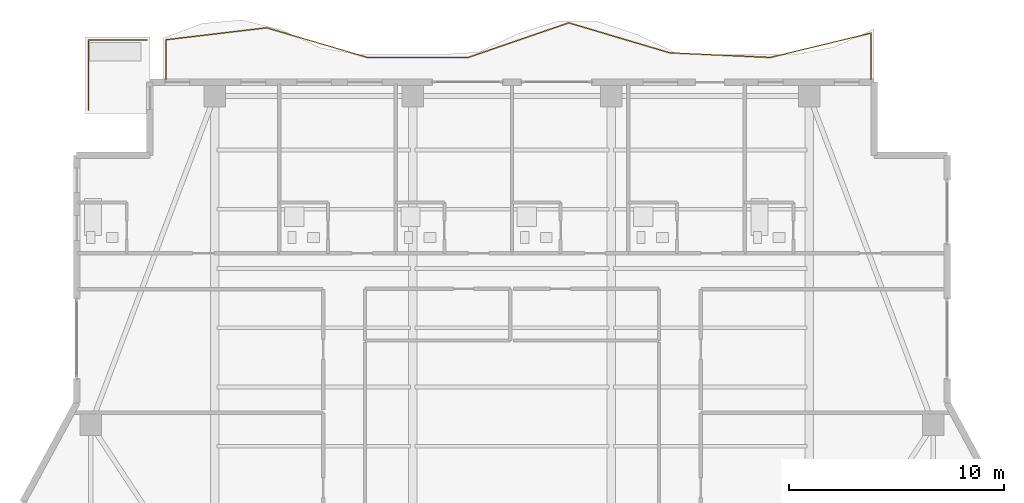
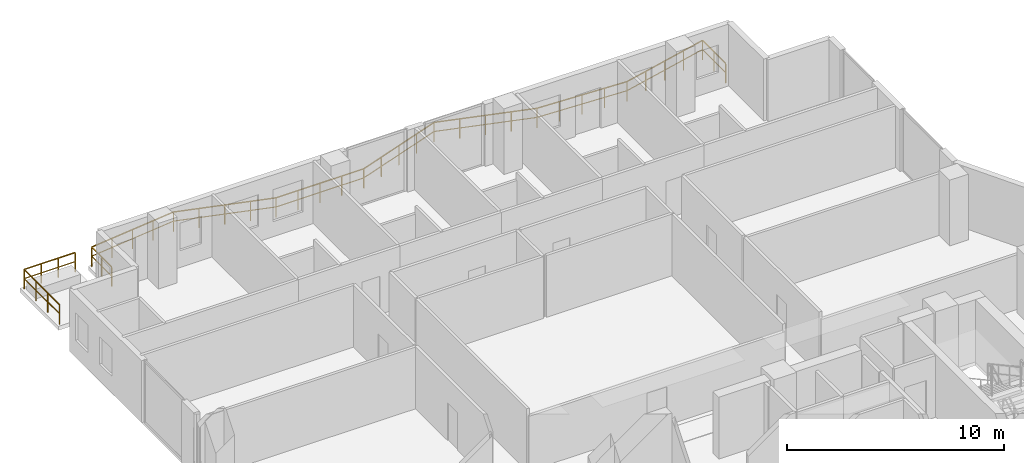
# One storey, part 22 of 23: 2 railings.
"""IFC4 building model written with IfcOpenShell, lengths in metres."""

import ifcopenshell
import ifcopenshell.guid

model = None  # the IFC model being written
_history = None  # IfcOwnerHistory: only IFC2X3 demands one
_inside = {}  # id of a spatial element -> (the spatial element, [elements in it])
_under = {}  # id of a project, library or spatial element -> (it, [spatial elements below it])
_declared = {}  # id of a project -> (the project, [libraries it declares])
_typed = {}  # id of a type object -> (the type object, [elements of that type])
_made_of = {}  # id of a material, layer set ... -> (it, [elements and type objects made of it])


def new_model(schema):
    """Start an empty IFC model of exactly this schema.

    Asked for "IFC4X3", IfcOpenShell would pick the latest addendum, in which some entities
    have other attributes; the version numbers below select the first issue.
    IFC2X3 requires an IfcOwnerHistory on every rooted entity: one is made here for all.
    """
    global model, _history
    if schema == "IFC4X3":
        model = ifcopenshell.file(schema_version=(4, 3, 0, 0))
    else:
        model = ifcopenshell.file(schema=schema)
    _inside.clear()
    _under.clear()
    _declared.clear()
    _typed.clear()
    _made_of.clear()
    _history = None
    if model.schema == "IFC2X3":
        org = make("IfcOrganization", Name="unknown")
        user = make(
            "IfcPersonAndOrganization",
            ThePerson=make("IfcPerson", FamilyName="unknown"),
            TheOrganization=org,
        )
        app = make(
            "IfcApplication",
            ApplicationDeveloper=org,
            Version="unknown",
            ApplicationFullName="unknown",
            ApplicationIdentifier="unknown",
        )
        _history = make(
            "IfcOwnerHistory",
            OwningUser=user,
            OwningApplication=app,
            ChangeAction="ADDED",
            CreationDate=0,
        )
    return model


def make(cls, **values):
    """One entity of the class cls with the attributes given. An attribute that is None is left unset."""
    return model.create_entity(
        cls, **{name: value for name, value in values.items() if value is not None}
    )


def rooted(cls, **values):
    """An entity with a GlobalId (a new one), such as an element, a storey or a relation."""
    return make(cls, GlobalId=ifcopenshell.guid.new(), OwnerHistory=_history, **values)


def si_unit(unit_type, name, prefix=None):
    """IfcSIUnit, for example si_unit("LENGTHUNIT", "METRE", prefix="MILLI")."""
    return make("IfcSIUnit", UnitType=unit_type, Prefix=prefix, Name=name)


def assignment(units):
    """IfcUnitAssignment: the units of a project."""
    return None if units is None else make("IfcUnitAssignment", Units=units)


def point(xyz):
    """IfcCartesianPoint."""
    return None if xyz is None else make("IfcCartesianPoint", Coordinates=xyz)


def direction(xyz):
    """IfcDirection."""
    return None if xyz is None else make("IfcDirection", DirectionRatios=xyz)


def frame(location, z_axis=None, x_axis=None):
    """IfcAxis2Placement3D, a coordinate frame: its origin and axes. An axis left out is left unset."""
    return make(
        "IfcAxis2Placement3D",
        Location=point(location),
        Axis=direction(z_axis),
        RefDirection=direction(x_axis),
    )


def frame_2d(location, x_axis=None):
    """IfcAxis2Placement2D, a coordinate frame in the plane: its origin and x axis."""
    return make(
        "IfcAxis2Placement2D", Location=point(location), RefDirection=direction(x_axis)
    )


def origin():
    """The frame at (0, 0, 0) with its axes left unset."""
    return frame((0.0, 0.0, 0.0))


def origin_2d():
    """The frame at (0, 0) in the plane with its x axis left unset."""
    return frame_2d((0.0, 0.0))


def place(relative_to, where):
    """IfcLocalPlacement: puts the frame where relative to a parent placement (None: the world)."""
    return make(
        "IfcLocalPlacement", PlacementRelTo=relative_to, RelativePlacement=where
    )


def context(
    kind, dimensions, precision=None, world=None, true_north=None, identifier=None
):
    """IfcGeometricRepresentationContext, for example the 3D "Model" context."""
    return make(
        "IfcGeometricRepresentationContext",
        ContextIdentifier=identifier,
        ContextType=kind,
        CoordinateSpaceDimension=dimensions,
        Precision=precision,
        WorldCoordinateSystem=world,
        TrueNorth=true_north,
    )


def subcontext(parent, identifier, kind, view, scale=None):
    """IfcGeometricRepresentationSubContext, for example "Body" below "Model"."""
    return make(
        "IfcGeometricRepresentationSubContext",
        ContextIdentifier=identifier,
        ContextType=kind,
        ParentContext=parent,
        TargetScale=scale,
        TargetView=view,
    )


def project(units=None, contexts=None):
    """IfcProject with its units and contexts."""
    return rooted(
        "IfcProject",
        Name="project",
        RepresentationContexts=contexts,
        UnitsInContext=assignment(units),
    )


def spatial(cls, under=None, at=None, **own):
    """A site, building, storey or space (cls), placed at a placement, below another one or the project."""
    s = rooted(cls, ObjectPlacement=at, **own)
    if under is not None:
        _under.setdefault(under.id(), (under, []))[1].append(s)
    return s


def profile(cls, at=None, kind="AREA", **sizes):
    """A parametric profile (cls). Its sizes go by their IFC names, for example OverallWidth=200.0."""
    return make(cls, ProfileType=kind, Position=at, **sizes)


def rectangle(**sizes):
    """IfcRectangleProfileDef."""
    return profile("IfcRectangleProfileDef", **sizes)


def extrude(swept, where, along, depth):
    """IfcExtrudedAreaSolid: the profile swept, set in the frame where, extruded along a direction by depth."""
    return make(
        "IfcExtrudedAreaSolid",
        SweptArea=swept,
        Position=where,
        ExtrudedDirection=direction(along),
        Depth=depth,
    )


def shape(context_of_items, identifier, shape_type, items):
    """IfcShapeRepresentation: the items that make up one representation, for example the "Body"."""
    return make(
        "IfcShapeRepresentation",
        ContextOfItems=context_of_items,
        RepresentationIdentifier=identifier,
        RepresentationType=shape_type,
        Items=items,
    )


def material(Name=None, Category=None):
    """IfcMaterial."""
    return make("IfcMaterial", Name=Name, Category=Category)


def made_of(thing, what):
    """Note that an element or type object is made of a material, layer set ...; save() writes the relation."""
    if what is not None:
        _made_of.setdefault(what.id(), (what, []))[1].append(thing)
    return thing


def type_object(cls, material=None, **own):
    """A type object (cls), such as IfcWallType, which elements share."""
    return made_of(rooted(cls, **own), material)


def element(
    cls,
    number,
    at=None,
    inside=None,
    cuts=None,
    type_object=None,
    material=None,
    context=None,
    identifier="Body",
    shape_type=None,
    held_by="IfcProductDefinitionShape",
    body=None,
    shapes=None,
    **own,
):
    """One element of the class cls, such as IfcWall. Its Tag is "e" and its number.

    at: its placement. inside: the storey or other place that contains it. cuts: it is an
    opening in that element (IfcRelVoidsElement). A single representation is given by context,
    identifier, shape_type and body (its items); several are given by shapes. held_by: the class
    of the entity that holds the representations. save() writes the other relations.
    """
    e = rooted(cls, Tag="e%d" % number, ObjectPlacement=at, **own)
    if body is not None:
        shapes = [shape(context, identifier, shape_type, body)]
    if shapes is not None:
        e.Representation = make(held_by, Representations=shapes)
    if inside is not None:
        _inside.setdefault(inside.id(), (inside, []))[1].append(e)
    if cuts is not None:
        rooted(
            "IfcRelVoidsElement", RelatingBuildingElement=cuts, RelatedOpeningElement=e
        )
    if type_object is not None:
        _typed.setdefault(type_object.id(), (type_object, []))[1].append(e)
    return made_of(e, material)


def aggregate(whole, parts):
    """IfcRelAggregates: a whole, such as a stair, and the parts it consists of."""
    return rooted("IfcRelAggregates", RelatingObject=whole, RelatedObjects=parts)


def save(model, path):
    """Write the relations noted so far, then the file.

    IfcRelAggregates (storeys below a building ...), IfcRelContainedInSpatialStructure (elements
    in a storey), IfcRelDefinesByType, IfcRelAssociatesMaterial and IfcRelDeclares: one each for
    every whole, place, type object, material and project.
    """
    for whole, parts in _under.values():
        aggregate(whole, parts)
    for where, things in _inside.values():
        rooted(
            "IfcRelContainedInSpatialStructure",
            RelatedElements=things,
            RelatingStructure=where,
        )
    for kind, things in _typed.values():
        rooted("IfcRelDefinesByType", RelatedObjects=things, RelatingType=kind)
    for what, things in _made_of.values():
        rooted("IfcRelAssociatesMaterial", RelatedObjects=things, RelatingMaterial=what)
    for by, libraries in _declared.values():
        rooted("IfcRelDeclares", RelatingContext=by, RelatedDefinitions=libraries)
    model.write(path)


model = new_model("IFC4")

# Units and contexts
model_context = context("Model", 3, precision=1e-05, world=origin(), true_north=direction((0.0, 1.0)))
body_context = subcontext(model_context, "Body", "Model", "MODEL_VIEW")
ifc_project = project(units=[si_unit("LENGTHUNIT", "METRE"), si_unit("AREAUNIT", "SQUARE_METRE"), si_unit("VOLUMEUNIT", "CUBIC_METRE"), si_unit("PLANEANGLEUNIT", "RADIAN"), si_unit("MASSUNIT", "GRAM", prefix="KILO")], contexts=[model_context])

# Site, building, storey
site_placement = place(None, origin())
site = spatial("IfcSite", under=ifc_project, at=site_placement, CompositionType="ELEMENT")
building_placement = place(site_placement, origin())
building = spatial("IfcBuilding", under=site, at=building_placement, Name="Zuhayl Quay Hotel", CompositionType="ELEMENT")
storey_placement = place(building_placement, frame((0.0, 0.0, 272.949951171875)))
storey = spatial("IfcBuildingStorey", under=building, at=storey_placement, Name="L69", CompositionType="ELEMENT", Elevation=272.949951171875)

# Railings
ifc_material = material(Name="Anodised Aluminium and Laminated Glass", Category="aluminium")
railing_type = type_object("IfcRailingType", Name="RL_EXT_BAL_1100", PredefinedType="BALUSTRADE", material=ifc_material)
railing_1_placement = place(storey_placement, frame((-16.06005859375, 39.1201171875, 0.0)))
element("IfcRailing", 1, at=railing_1_placement, inside=storey, type_object=railing_type, Name="L69 Balcony and Terrace Guard GR_L69_BAL_N", PredefinedType="BALUSTRADE", context=body_context, shape_type="SweptSolid", body=[
    extrude(rectangle(XDim=0.048095703125, YDim=0.048095703125, at=origin_2d()), frame((0.0, 0.0, 1.09619140625), z_axis=(0.0, 1.0, 0.0), x_axis=(-1.0, 0.0, 0.0)), (0.0, 0.0, 1.0), 1.8408203125),
    extrude(rectangle(XDim=0.0361328125, YDim=0.0361328125, at=origin_2d()), frame((0.0, 0.0, 0.58251953125), z_axis=(0.0, 1.0, 0.0), x_axis=(-1.0, 0.0, 0.0)), (0.0, 0.0, 1.0), 1.8408203125),
    extrude(rectangle(XDim=0.048095703125, YDim=0.048095703125, at=origin_2d()), frame((0.0, 1.8408203125, 1.09619140625), z_axis=(0.992996099515, 0.118147138551, 0.0), x_axis=(-0.118147138551, 0.992996099515, 0.0)), (0.0, 0.0, 1.0), 4.707275390625),
    extrude(rectangle(XDim=0.0361328125, YDim=0.0361328125, at=origin_2d()), frame((0.0, 1.8408203125, 0.58251953125), z_axis=(0.992996099515, 0.118147138551, 0.0), x_axis=(-0.118147138551, 0.992996099515, 0.0)), (0.0, 0.0, 1.0), 4.707275390625),
    extrude(rectangle(XDim=0.048095703125, YDim=0.048095703125, at=origin_2d()), frame((4.67431640625, 2.39697265625, 1.09619140625), z_axis=(0.959232164483, -0.282619275036, 0.0), x_axis=(0.282619275036, 0.959232164483, 0.0)), (0.0, 0.0, 1.0), 4.873046875),
    extrude(rectangle(XDim=0.0361328125, YDim=0.0361328125, at=origin_2d()), frame((4.67431640625, 2.39697265625, 0.58251953125), z_axis=(0.959232164483, -0.282619275036, 0.0), x_axis=(0.282619275036, 0.959232164483, 0.0)), (0.0, 0.0, 1.0), 4.873046875),
    extrude(rectangle(XDim=0.048095703125, YDim=0.048095703125, at=origin_2d()), frame((9.3486328125, 1.019775390625, 1.09619140625), z_axis=(1.0, 0.0, 0.0), x_axis=(0.0, 1.0, 0.0)), (0.0, 0.0, 1.0), 4.67431640625),
    extrude(rectangle(XDim=0.0361328125, YDim=0.0361328125, at=origin_2d()), frame((9.3486328125, 1.019775390625, 0.58251953125), z_axis=(1.0, 0.0, 0.0), x_axis=(0.0, 1.0, 0.0)), (0.0, 0.0, 1.0), 4.67431640625),
    extrude(rectangle(XDim=0.048095703125, YDim=0.048095703125, at=origin_2d()), frame((14.02294921875, 1.019775390625, 1.09619140625), z_axis=(0.945647683326, 0.325192956598, 0.0), x_axis=(-0.325192956598, 0.945647683326, 0.0)), (0.0, 0.0, 1.0), 4.94287109375),
    extrude(rectangle(XDim=0.0361328125, YDim=0.0361328125, at=origin_2d()), frame((14.02294921875, 1.019775390625, 0.58251953125), z_axis=(0.945647683326, 0.325192956598, 0.0), x_axis=(-0.325192956598, 0.945647683326, 0.0)), (0.0, 0.0, 1.0), 4.94287109375),
    extrude(rectangle(XDim=0.048095703125, YDim=0.048095703125, at=origin_2d()), frame((18.697265625, 2.627197265625, 1.09619140625), z_axis=(0.958519352191, -0.285027457405, 0.0), x_axis=(0.285027457405, 0.958519352191, 0.0)), (0.0, 0.0, 1.0), 4.87646484375),
    extrude(rectangle(XDim=0.0361328125, YDim=0.0361328125, at=origin_2d()), frame((18.697265625, 2.627197265625, 0.58251953125), z_axis=(0.958519352191, -0.285027457405, 0.0), x_axis=(0.285027457405, 0.958519352191, 0.0)), (0.0, 0.0, 1.0), 4.87646484375),
    extrude(rectangle(XDim=0.048095703125, YDim=0.048095703125, at=origin_2d()), frame((23.371337890625, 1.2373046875, 1.09619140625), z_axis=(0.998918903187, -0.046486824545, 0.0), x_axis=(0.046486824545, 0.998918903187, 0.0)), (0.0, 0.0, 1.0), 4.679443359375),
    extrude(rectangle(XDim=0.0361328125, YDim=0.0361328125, at=origin_2d()), frame((23.371337890625, 1.2373046875, 0.58251953125), z_axis=(0.998918903187, -0.046486824545, 0.0), x_axis=(0.046486824545, 0.998918903187, 0.0)), (0.0, 0.0, 1.0), 4.679443359375),
    extrude(rectangle(XDim=0.048095703125, YDim=0.048095703125, at=origin_2d()), frame((28.045654296875, 1.019775390625, 1.09619140625), z_axis=(0.97207581896, 0.23466700278, 0.0), x_axis=(-0.23466700278, 0.97207581896, 0.0)), (0.0, 0.0, 1.0), 4.80859375),
    extrude(rectangle(XDim=0.0361328125, YDim=0.0361328125, at=origin_2d()), frame((28.045654296875, 1.019775390625, 0.58251953125), z_axis=(0.97207581896, 0.23466700278, 0.0), x_axis=(-0.23466700278, 0.97207581896, 0.0)), (0.0, 0.0, 1.0), 4.80859375),
    extrude(rectangle(XDim=0.048095703125, YDim=0.048095703125, at=origin_2d()), frame((32.719970703125, 2.148193359375, 1.09619140625), z_axis=(0.0, -1.0, 0.0), x_axis=(1.0, 0.0, 0.0)), (0.0, 0.0, 1.0), 2.148193359375),
    extrude(rectangle(XDim=0.0361328125, YDim=0.0361328125, at=origin_2d()), frame((32.719970703125, 2.148193359375, 0.58251953125), z_axis=(0.0, -1.0, 0.0), x_axis=(1.0, 0.0, 0.0)), (0.0, 0.0, 1.0), 2.148193359375),
    extrude(rectangle(XDim=0.0419921875, YDim=0.0419921875, at=origin_2d()), origin(), (0.0, 0.0, 1.0), 1.072021484375),
    extrude(rectangle(XDim=0.0419921875, YDim=0.0419921875, at=origin_2d()), frame((0.0, 0.92041015625, 0.0)), (0.0, 0.0, 1.0), 1.072021484375),
    extrude(rectangle(XDim=0.0419921875, YDim=0.0419921875, at=origin_2d()), frame((0.0, 1.8408203125, 0.0)), (0.0, 0.0, 1.0), 1.072021484375),
    extrude(rectangle(XDim=0.0419921875, YDim=0.0419921875, at=origin_2d()), frame((1.16845703125, 1.97998046875, 0.0)), (0.0, 0.0, 1.0), 1.072021484375),
    extrude(rectangle(XDim=0.0419921875, YDim=0.0419921875, at=origin_2d()), frame((2.337158203125, 2.118896484375, 0.0)), (0.0, 0.0, 1.0), 1.072021484375),
    extrude(rectangle(XDim=0.0419921875, YDim=0.0419921875, at=origin_2d()), frame((3.505859375, 2.2578125, 0.0)), (0.0, 0.0, 1.0), 1.072021484375),
    extrude(rectangle(XDim=0.0419921875, YDim=0.0419921875, at=origin_2d()), frame((4.67431640625, 2.39697265625, 0.0)), (0.0, 0.0, 1.0), 1.072021484375),
    extrude(rectangle(XDim=0.0419921875, YDim=0.0419921875, at=origin_2d()), frame((5.8427734375, 2.052734375, 0.0)), (0.0, 0.0, 1.0), 1.072021484375),
    extrude(rectangle(XDim=0.0419921875, YDim=0.0419921875, at=origin_2d()), frame((7.011474609375, 1.70849609375, 0.0)), (0.0, 0.0, 1.0), 1.072021484375),
    extrude(rectangle(XDim=0.0419921875, YDim=0.0419921875, at=origin_2d()), frame((8.18017578125, 1.364013671875, 0.0)), (0.0, 0.0, 1.0), 1.072021484375),
    extrude(rectangle(XDim=0.0419921875, YDim=0.0419921875, at=origin_2d()), frame((9.3486328125, 1.019775390625, 0.0)), (0.0, 0.0, 1.0), 1.072021484375),
    extrude(rectangle(XDim=0.0419921875, YDim=0.0419921875, at=origin_2d()), frame((10.51708984375, 1.019775390625, 0.0)), (0.0, 0.0, 1.0), 1.072021484375),
    extrude(rectangle(XDim=0.0419921875, YDim=0.0419921875, at=origin_2d()), frame((11.685791015625, 1.019775390625, 0.0)), (0.0, 0.0, 1.0), 1.072021484375),
    extrude(rectangle(XDim=0.0419921875, YDim=0.0419921875, at=origin_2d()), frame((12.8544921875, 1.019775390625, 0.0)), (0.0, 0.0, 1.0), 1.072021484375),
    extrude(rectangle(XDim=0.0419921875, YDim=0.0419921875, at=origin_2d()), frame((14.02294921875, 1.019775390625, 0.0)), (0.0, 0.0, 1.0), 1.072021484375),
    extrude(rectangle(XDim=0.0419921875, YDim=0.0419921875, at=origin_2d()), frame((15.19140625, 1.421630859375, 0.0)), (0.0, 0.0, 1.0), 1.072021484375),
    extrude(rectangle(XDim=0.0419921875, YDim=0.0419921875, at=origin_2d()), frame((16.360107421875, 1.823486328125, 0.0)), (0.0, 0.0, 1.0), 1.072021484375),
    extrude(rectangle(XDim=0.0419921875, YDim=0.0419921875, at=origin_2d()), frame((17.52880859375, 2.225341796875, 0.0)), (0.0, 0.0, 1.0), 1.072021484375),
    extrude(rectangle(XDim=0.0419921875, YDim=0.0419921875, at=origin_2d()), frame((18.697265625, 2.627197265625, 0.0)), (0.0, 0.0, 1.0), 1.072021484375),
    extrude(rectangle(XDim=0.0419921875, YDim=0.0419921875, at=origin_2d()), frame((19.86572265625, 2.27978515625, 0.0)), (0.0, 0.0, 1.0), 1.072021484375),
    extrude(rectangle(XDim=0.0419921875, YDim=0.0419921875, at=origin_2d()), frame((21.0341796875, 1.93212890625, 0.0)), (0.0, 0.0, 1.0), 1.072021484375),
    extrude(rectangle(XDim=0.0419921875, YDim=0.0419921875, at=origin_2d()), frame((22.202880859375, 1.584716796875, 0.0)), (0.0, 0.0, 1.0), 1.072021484375),
    extrude(rectangle(XDim=0.0419921875, YDim=0.0419921875, at=origin_2d()), frame((23.371337890625, 1.2373046875, 0.0)), (0.0, 0.0, 1.0), 1.072021484375),
    extrude(rectangle(XDim=0.0419921875, YDim=0.0419921875, at=origin_2d()), frame((24.5400390625, 1.182861328125, 0.0)), (0.0, 0.0, 1.0), 1.072021484375),
    extrude(rectangle(XDim=0.0419921875, YDim=0.0419921875, at=origin_2d()), frame((25.70849609375, 1.12841796875, 0.0)), (0.0, 0.0, 1.0), 1.072021484375),
    extrude(rectangle(XDim=0.0419921875, YDim=0.0419921875, at=origin_2d()), frame((26.876953125, 1.07421875, 0.0)), (0.0, 0.0, 1.0), 1.072021484375),
    extrude(rectangle(XDim=0.0419921875, YDim=0.0419921875, at=origin_2d()), frame((28.045654296875, 1.019775390625, 0.0)), (0.0, 0.0, 1.0), 1.072021484375),
    extrude(rectangle(XDim=0.0419921875, YDim=0.0419921875, at=origin_2d()), frame((29.21435546875, 1.3017578125, 0.0)), (0.0, 0.0, 1.0), 1.072021484375),
    extrude(rectangle(XDim=0.0419921875, YDim=0.0419921875, at=origin_2d()), frame((30.3828125, 1.583984375, 0.0)), (0.0, 0.0, 1.0), 1.072021484375),
    extrude(rectangle(XDim=0.0419921875, YDim=0.0419921875, at=origin_2d()), frame((31.55126953125, 1.8662109375, 0.0)), (0.0, 0.0, 1.0), 1.072021484375),
    extrude(rectangle(XDim=0.0419921875, YDim=0.0419921875, at=origin_2d()), frame((32.719970703125, 2.148193359375, 0.0)), (0.0, 0.0, 1.0), 1.072021484375),
    extrude(rectangle(XDim=0.0419921875, YDim=0.0419921875, at=origin_2d()), frame((32.719970703125, 1.07421875, 0.0)), (0.0, 0.0, 1.0), 1.072021484375),
    extrude(rectangle(XDim=0.0419921875, YDim=0.0419921875, at=origin_2d()), frame((32.719970703125, 0.0, 0.0)), (0.0, 0.0, 1.0), 1.072021484375),
])
railing_2_placement = place(storey_placement, frame((-16.93994140625, 40.9599609375, 0.0)))
element("IfcRailing", 2, at=railing_2_placement, inside=storey, type_object=railing_type, Name="L69 Balcony and Terrace Guard GR_L69_SPIRAL_NW", PredefinedType="BALUSTRADE", context=body_context, shape_type="SweptSolid", body=[
    extrude(rectangle(XDim=0.048095703125, YDim=0.048095703125, at=origin_2d()), frame((0.0, 0.0, 1.09619140625), z_axis=(-1.0, 0.0, 0.0), x_axis=(0.0, -1.0, 0.0)), (0.0, 0.0, 1.0), 2.719970703125),
    extrude(rectangle(XDim=0.0361328125, YDim=0.0361328125, at=origin_2d()), frame((0.0, 0.0, 0.58251953125), z_axis=(-1.0, 0.0, 0.0), x_axis=(0.0, -1.0, 0.0)), (0.0, 0.0, 1.0), 2.719970703125),
    extrude(rectangle(XDim=0.048095703125, YDim=0.048095703125, at=origin_2d()), frame((-2.719970703125, 0.0, 1.09619140625), z_axis=(0.0, -1.0, 0.0), x_axis=(1.0, 0.0, 0.0)), (0.0, 0.0, 1.0), 3.27001953125),
    extrude(rectangle(XDim=0.0361328125, YDim=0.0361328125, at=origin_2d()), frame((-2.719970703125, 0.0, 0.58251953125), z_axis=(0.0, -1.0, 0.0), x_axis=(1.0, 0.0, 0.0)), (0.0, 0.0, 1.0), 3.27001953125),
    extrude(rectangle(XDim=0.0419921875, YDim=0.0419921875, at=origin_2d()), origin(), (0.0, 0.0, 1.0), 1.072021484375),
    extrude(rectangle(XDim=0.0419921875, YDim=0.0419921875, at=origin_2d()), frame((-0.90673828125, 0.0, 0.0)), (0.0, 0.0, 1.0), 1.072021484375),
    extrude(rectangle(XDim=0.0419921875, YDim=0.0419921875, at=origin_2d()), frame((-1.813232421875, 0.0, 0.0)), (0.0, 0.0, 1.0), 1.072021484375),
    extrude(rectangle(XDim=0.0419921875, YDim=0.0419921875, at=origin_2d()), frame((-2.719970703125, 0.0, 0.0)), (0.0, 0.0, 1.0), 1.072021484375),
    extrude(rectangle(XDim=0.0419921875, YDim=0.0419921875, at=origin_2d()), frame((-2.719970703125, -1.090087890625, 0.0)), (0.0, 0.0, 1.0), 1.072021484375),
    extrude(rectangle(XDim=0.0419921875, YDim=0.0419921875, at=origin_2d()), frame((-2.719970703125, -2.179931640625, 0.0)), (0.0, 0.0, 1.0), 1.072021484375),
    extrude(rectangle(XDim=0.0419921875, YDim=0.0419921875, at=origin_2d()), frame((-2.719970703125, -3.27001953125, 0.0)), (0.0, 0.0, 1.0), 1.072021484375),
])

save(model, "model.ifc")
